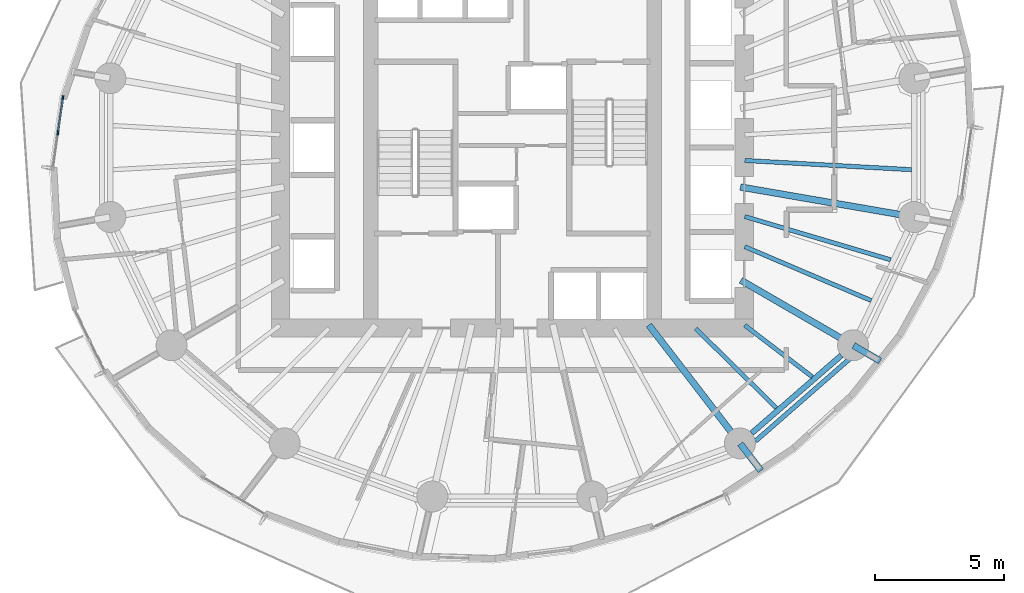
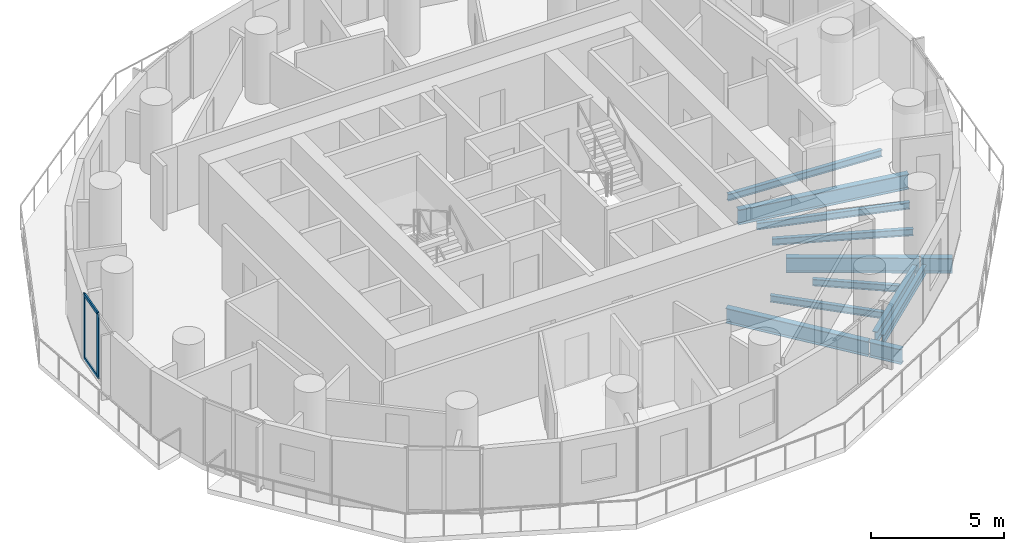
# One storey, part 3 of 14: 12 beams, 4 members, 1 element without a shape of its own.
"""IFC4 building model written with IfcOpenShell, lengths in metres."""

from ifc_helpers import new_model, si_unit, direction, frame, origin, origin_2d, place, context, subcontext, project, spatial, rectangle, i_section, extrude, material, material_profile, profile_set, type_object, element, aggregate, save


model = new_model("IFC4")

# Units and contexts
model_context = context("Model", 3, precision=1e-05, world=origin(), true_north=direction((0.0, 1.0)))
body_context = subcontext(model_context, "Body", "Model", "MODEL_VIEW")
ifc_project = project(units=[si_unit("LENGTHUNIT", "METRE"), si_unit("AREAUNIT", "SQUARE_METRE"), si_unit("VOLUMEUNIT", "CUBIC_METRE"), si_unit("PLANEANGLEUNIT", "RADIAN"), si_unit("MASSUNIT", "GRAM", prefix="KILO")], contexts=[model_context])

# Site, building, storey
site_placement = place(None, origin())
site = spatial("IfcSite", under=ifc_project, at=site_placement, CompositionType="ELEMENT")
building_placement = place(site_placement, origin())
building = spatial("IfcBuilding", under=site, at=building_placement, Name="Veldorim Arch Residences", CompositionType="ELEMENT")
storey_placement = place(building_placement, frame((0.0, 0.0, 83.679931640625)))
storey = spatial("IfcBuildingStorey", under=building, at=storey_placement, Name="L24", CompositionType="ELEMENT", Elevation=83.679931640625)

# Beams
ifc_material_1 = material(Name="Steel S355", Category="steel")
ifc_material_profile_1 = material_profile(ifc_material_1, i_section(OverallWidth=0.2119140625, OverallDepth=0.54443359375, WebThickness=0.0126953125, FlangeThickness=0.021240234375, at=origin_2d()), Name="UB533x210x122")
ifc_profile_set_1 = profile_set([ifc_material_profile_1], Name="Steel S355")
beam_type_1 = type_object("IfcBeamType", Name="Structural Steel Beam UB533x210x122", PredefinedType="BEAM", material=ifc_profile_set_1)
beam_1_placement = place(storey_placement, frame((41.28662109375, 12.9189453125, -0.51220703125), z_axis=(0.755244952556, 0.655442645576, 0.0), x_axis=(-0.655442645576, 0.755244952556, 0.0)))
element("IfcBeam", 1, at=beam_1_placement, inside=storey, type_object=beam_type_1, Name="L24 perimeter ring tie beam 14", PredefinedType="BEAM", context=body_context, shape_type="SweptSolid", body=[
    extrude(i_section(OverallWidth=0.2119140625, OverallDepth=0.54443359375, WebThickness=0.0126953125, FlangeThickness=0.021240234375, at=origin_2d()), origin(), (0.0, 0.0, 1.0), 4.608642578125),
])
ifc_material_2 = material(Name="Steel S355", Category="steel")
ifc_material_profile_2 = material_profile(ifc_material_2, i_section(OverallWidth=0.25439453125, OverallDepth=0.6875, WebThickness=0.01318359375, FlangeThickness=0.02099609375, at=origin_2d()), Name="UB686x254x152")
ifc_profile_set_2 = profile_set([ifc_material_profile_2], Name="Steel S355")
beam_type_2 = type_object("IfcBeamType", Name="Structural Steel GIRDER UB686x254x152", PredefinedType="USERDEFINED", material=ifc_profile_set_2)
beam_2_placement = place(storey_placement, frame((37.297607421875, 17.118896484375, -0.583740234375), z_axis=(0.609994628196, -0.792405548676, 0.0), x_axis=(0.792405548676, 0.609994628196, 0.0)))
element("IfcBeam", 2, at=beam_2_placement, inside=storey, type_object=beam_type_2, Name="L24 radial floor girder 14", ObjectType="GIRDER", PredefinedType="USERDEFINED", context=body_context, shape_type="SweptSolid", body=[
    extrude(i_section(OverallWidth=0.25439453125, OverallDepth=0.6875, WebThickness=0.01318359375, FlangeThickness=0.02099609375, at=origin_2d()), origin(), (0.0, 0.0, 1.0), 5.776611328125),
])
beam_3_placement = place(storey_placement, frame((40.845703125, 12.510009765625, -0.583740234375), z_axis=(0.609952716704, -0.792437810421, 0.0), x_axis=(0.792437810421, 0.609952716704, 0.0)))
element("IfcBeam", 3, at=beam_3_placement, inside=storey, type_object=beam_type_2, Name="L24 radial edge cantilever girder 14", ObjectType="GIRDER", PredefinedType="USERDEFINED", context=body_context, shape_type="SweptSolid", body=[
    extrude(i_section(OverallWidth=0.25439453125, OverallDepth=0.6875, WebThickness=0.01318359375, FlangeThickness=0.02099609375, at=origin_2d()), origin(), (0.0, 0.0, 1.0), 1.31640625),
])
beam_4_placement = place(storey_placement, frame((40.8701171875, 18.85595703125, -0.583740234375), z_axis=(0.865048957682, -0.501687453314, 0.0), x_axis=(0.501687453314, 0.865048957682, 0.0)))
element("IfcBeam", 4, at=beam_4_placement, inside=storey, type_object=beam_type_2, Name="L24 radial floor girder 15", ObjectType="GIRDER", PredefinedType="USERDEFINED", context=body_context, shape_type="SweptSolid", body=[
    extrude(i_section(OverallWidth=0.25439453125, OverallDepth=0.6875, WebThickness=0.01318359375, FlangeThickness=0.02099609375, at=origin_2d()), origin(), (0.0, 0.0, 1.0), 5.009033203125),
])
beam_5_placement = place(storey_placement, frame((45.23779296875, 16.322998046875, -0.583740234375), z_axis=(0.865034732672, -0.501711980394, 0.0), x_axis=(0.501711980394, 0.865034732672, 0.0)))
element("IfcBeam", 5, at=beam_5_placement, inside=storey, type_object=beam_type_2, Name="L24 radial edge cantilever girder 15", ObjectType="GIRDER", PredefinedType="USERDEFINED", context=body_context, shape_type="SweptSolid", body=[
    extrude(i_section(OverallWidth=0.25439453125, OverallDepth=0.6875, WebThickness=0.01318359375, FlangeThickness=0.02099609375, at=origin_2d()), origin(), (0.0, 0.0, 1.0), 1.196044921875),
])
beam_6_placement = place(storey_placement, frame((40.852294921875, 22.4716796875, -0.583740234375), z_axis=(0.985426622718, -0.17010106184, 0.0), x_axis=(0.17010106184, 0.985426622718, 0.0)))
element("IfcBeam", 6, at=beam_6_placement, inside=storey, type_object=beam_type_2, Name="L24 radial floor girder 16", ObjectType="GIRDER", PredefinedType="USERDEFINED", context=body_context, shape_type="SweptSolid", body=[
    extrude(i_section(OverallWidth=0.25439453125, OverallDepth=0.6875, WebThickness=0.01318359375, FlangeThickness=0.02099609375, at=origin_2d()), origin(), (0.0, 0.0, 1.0), 6.82177734375),
])
ifc_material_3 = material(Name="Steel S355", Category="steel")
ifc_material_profile_3 = material_profile(ifc_material_3, i_section(OverallWidth=0.165771484375, OverallDepth=0.306640625, WebThickness=0.006591796875, FlangeThickness=0.01171875, at=origin_2d()), Name="UB305x165x46")
ifc_profile_set_3 = profile_set([ifc_material_profile_3], Name="Steel S355")
beam_type_3 = type_object("IfcBeamType", Name="Structural Steel Joist UB305x165x46", PredefinedType="JOIST", material=ifc_profile_set_3)
beam_7_placement = place(storey_placement, frame((39.114013671875, 16.986083984375, -0.393310546875), z_axis=(0.712111629941, -0.702066255066, 0.0), x_axis=(0.702066255066, 0.712111629941, 0.0)))
element("IfcBeam", 7, at=beam_7_placement, inside=storey, type_object=beam_type_3, Name="L24 secondary radial floor joist 14-1", PredefinedType="JOIST", context=body_context, shape_type="SweptSolid", body=[
    extrude(i_section(OverallWidth=0.165771484375, OverallDepth=0.306640625, WebThickness=0.006591796875, FlangeThickness=0.01171875, at=origin_2d()), origin(), (0.0, 0.0, 1.0), 4.39892578125),
])
beam_8_placement = place(storey_placement, frame((41.015869140625, 17.111572265625, -0.393310546875), z_axis=(0.794594763594, -0.60714014994, 0.0), x_axis=(0.60714014994, 0.794594763594, 0.0)))
element("IfcBeam", 8, at=beam_8_placement, inside=storey, type_object=beam_type_3, Name="L24 secondary radial floor joist 14-2", PredefinedType="JOIST", context=body_context, shape_type="SweptSolid", body=[
    extrude(i_section(OverallWidth=0.165771484375, OverallDepth=0.306640625, WebThickness=0.006591796875, FlangeThickness=0.01171875, at=origin_2d()), origin(), (0.0, 0.0, 1.0), 3.30419921875),
])
beam_9_placement = place(storey_placement, frame((41.018310546875, 20.158447265625, -0.393310546875), z_axis=(0.919997395122, -0.391924473552, 0.0), x_axis=(0.391924473552, 0.919997395122, 0.0)))
element("IfcBeam", 9, at=beam_9_placement, inside=storey, type_object=beam_type_3, Name="L24 secondary radial floor joist 15-1", PredefinedType="JOIST", context=body_context, shape_type="SweptSolid", body=[
    extrude(i_section(OverallWidth=0.165771484375, OverallDepth=0.306640625, WebThickness=0.006591796875, FlangeThickness=0.01171875, at=origin_2d()), origin(), (0.0, 0.0, 1.0), 5.334716796875),
])
beam_10_placement = place(storey_placement, frame((41.019287109375, 21.326416015625, -0.393310546875), z_axis=(0.958753061488, -0.284240333324, 0.0), x_axis=(0.284240333324, 0.958753061488, 0.0)))
element("IfcBeam", 10, at=beam_10_placement, inside=storey, type_object=beam_type_3, Name="L24 secondary radial floor joist 15-2", PredefinedType="JOIST", context=body_context, shape_type="SweptSolid", body=[
    extrude(i_section(OverallWidth=0.165771484375, OverallDepth=0.306640625, WebThickness=0.006591796875, FlangeThickness=0.01171875, at=origin_2d()), origin(), (0.0, 0.0, 1.0), 5.906005859375),
])
beam_11_placement = place(storey_placement, frame((41.02001953125, 23.501708984375, -0.393310546875), z_axis=(0.99847713097, -0.055167190702, 0.0), x_axis=(0.055167190702, 0.99847713097, 0.0)))
element("IfcBeam", 11, at=beam_11_placement, inside=storey, type_object=beam_type_3, Name="L24 secondary radial floor joist 16-1", PredefinedType="JOIST", context=body_context, shape_type="SweptSolid", body=[
    extrude(i_section(OverallWidth=0.165771484375, OverallDepth=0.306640625, WebThickness=0.006591796875, FlangeThickness=0.01171875, at=origin_2d()), origin(), (0.0, 0.0, 1.0), 6.474365234375),
])
ifc_material_4 = material(Name="Steel S355", Category="steel")
ifc_material_profile_4 = material_profile(ifc_material_4, i_section(OverallWidth=0.1787109375, OverallDepth=0.409423828125, WebThickness=0.0087890625, FlangeThickness=0.014404296875, at=origin_2d()), Name="UB406x178x67")
ifc_profile_set_4 = profile_set([ifc_material_profile_4], Name="Steel S355")
beam_type_4 = type_object("IfcBeamType", Name="Structural Steel Spandrel UB406x178x67", PredefinedType="SPANDREL", material=ifc_profile_set_4)
beam_12_placement = place(storey_placement, frame((41.4326171875, 12.611572265625, -0.464599609375), z_axis=(0.753323239074, 0.65765043714, 0.0), x_axis=(-0.65765043714, 0.753323239074, 0.0)))
element("IfcBeam", 12, at=beam_12_placement, inside=storey, type_object=beam_type_4, Name="L24 perimeter chord spandrel beam 14", PredefinedType="SPANDREL", context=body_context, shape_type="SweptSolid", body=[
    extrude(i_section(OverallWidth=0.1787109375, OverallDepth=0.409423828125, WebThickness=0.0087890625, FlangeThickness=0.014404296875, at=origin_2d()), origin(), (0.0, 0.0, 1.0), 4.879150390625),
])

# Curtain wall, members
ifc_material_5 = material(Name="Aluminium", Category="aluminium")
curtain_wall_type = type_object("IfcCurtainWallType", Name="Zone 2 Solar-Control Unitised Curtain Wall", PredefinedType="NOTDEFINED", material=ifc_material_5)
curtain_wall_placement = place(storey_placement, origin())
curtain_wall = element("IfcCurtainWall", 13, at=curtain_wall_placement, inside=storey, type_object=curtain_wall_type, Name="L24 unitised curtain wall bay 16", PredefinedType="NOTDEFINED")
ifc_material_6 = material(Name="Aluminium", Category="aluminium")
ifc_material_profile_5 = material_profile(ifc_material_6, rectangle(XDim=0.06494140625, YDim=0.1650390625, at=origin_2d()), Name="ALU_MUL_65x165")
ifc_profile_set_5 = profile_set([ifc_material_profile_5], Name="Aluminium")
member_type_1 = type_object("IfcMemberType", Name="Zone 2 Solar-Control Unitised Curtain Wall Mullion 65x165", PredefinedType="MULLION", material=ifc_profile_set_5)
member_1_placement = place(storey_placement, frame((14.371337890625, 24.568603515625, 0.0), z_axis=(0.0, 0.0, 1.0), x_axis=(-0.990070536302, 0.140571452105, 0.0)))
member_1 = element("IfcMember", 14, at=member_1_placement, type_object=member_type_1, Name="CW-Z2 mullion 2", PredefinedType="MULLION", context=body_context, shape_type="SweptSolid", body=[
    extrude(rectangle(XDim=0.06494140625, YDim=0.1650390625, at=origin_2d()), origin(), (0.0, 0.0, 1.0), 2.9599609375),
])
member_2_placement = place(storey_placement, frame((14.56591796875, 25.93896484375, 0.0), z_axis=(0.0, 0.0, 1.0), x_axis=(-0.990070536302, 0.140571452105, 0.0)))
member_2 = element("IfcMember", 15, at=member_2_placement, type_object=member_type_1, Name="CW-Z2 mullion 3", PredefinedType="MULLION", context=body_context, shape_type="SweptSolid", body=[
    extrude(rectangle(XDim=0.06494140625, YDim=0.1650390625, at=origin_2d()), origin(), (0.0, 0.0, 1.0), 2.9599609375),
])
ifc_material_7 = material(Name="Aluminium", Category="aluminium")
ifc_material_profile_6 = material_profile(ifc_material_7, rectangle(XDim=0.06494140625, YDim=0.14501953125, at=origin_2d()), Name="ALU_TRN_65x145")
ifc_profile_set_6 = profile_set([ifc_material_profile_6], Name="Aluminium")
member_type_2 = type_object("IfcMemberType", Name="Zone 2 Solar-Control Unitised Curtain Wall Transom 65x145", PredefinedType="USERDEFINED", material=ifc_profile_set_6)
member_3_placement = place(storey_placement, frame((14.375732421875, 24.600830078125, 0.032470703125), z_axis=(0.140669842386, 0.990056561739, 0.0), x_axis=(-0.990056561739, 0.140669842386, 0.0)))
member_3 = element("IfcMember", 16, at=member_3_placement, type_object=member_type_2, Name="CW-Z2 transom 2.1", ObjectType="TRANSOM", PredefinedType="USERDEFINED", context=body_context, shape_type="SweptSolid", body=[
    extrude(rectangle(XDim=0.06494140625, YDim=0.14501953125, at=origin_2d()), origin(), (0.0, 0.0, 1.0), 1.319091796875),
])
member_4_placement = place(storey_placement, frame((14.375732421875, 24.600830078125, 2.927490234375), z_axis=(0.140669842386, 0.990056561739, 0.0), x_axis=(-0.990056561739, 0.140669842386, 0.0)))
member_4 = element("IfcMember", 17, at=member_4_placement, type_object=member_type_2, Name="CW-Z2 transom 2.2", ObjectType="TRANSOM", PredefinedType="USERDEFINED", context=body_context, shape_type="SweptSolid", body=[
    extrude(rectangle(XDim=0.06494140625, YDim=0.14501953125, at=origin_2d()), origin(), (0.0, 0.0, 1.0), 1.319091796875),
])
aggregate(curtain_wall, [member_1, member_2, member_3, member_4])

save(model, "model.ifc")
